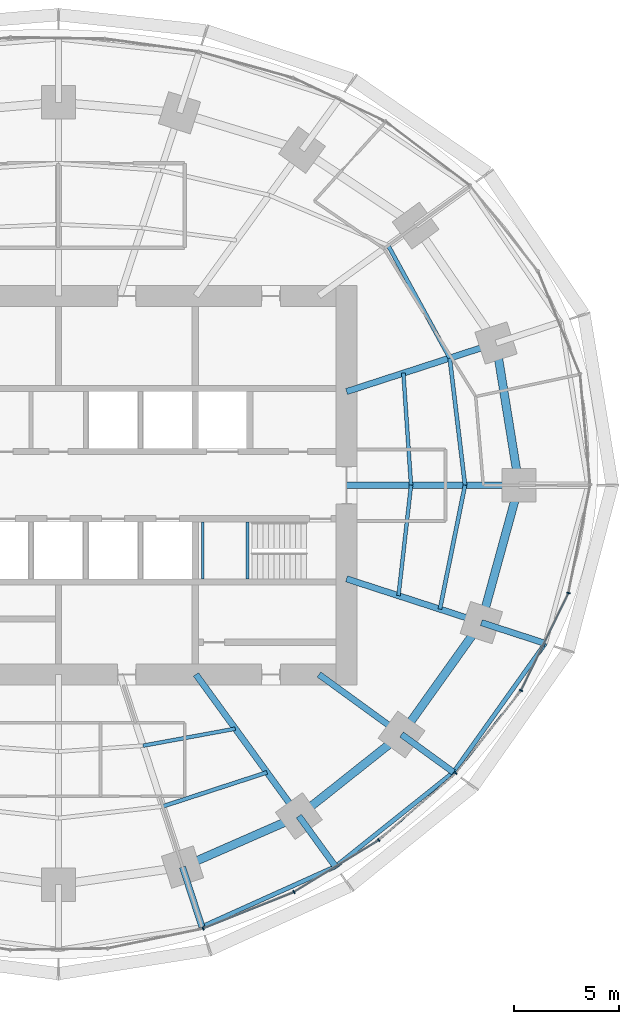
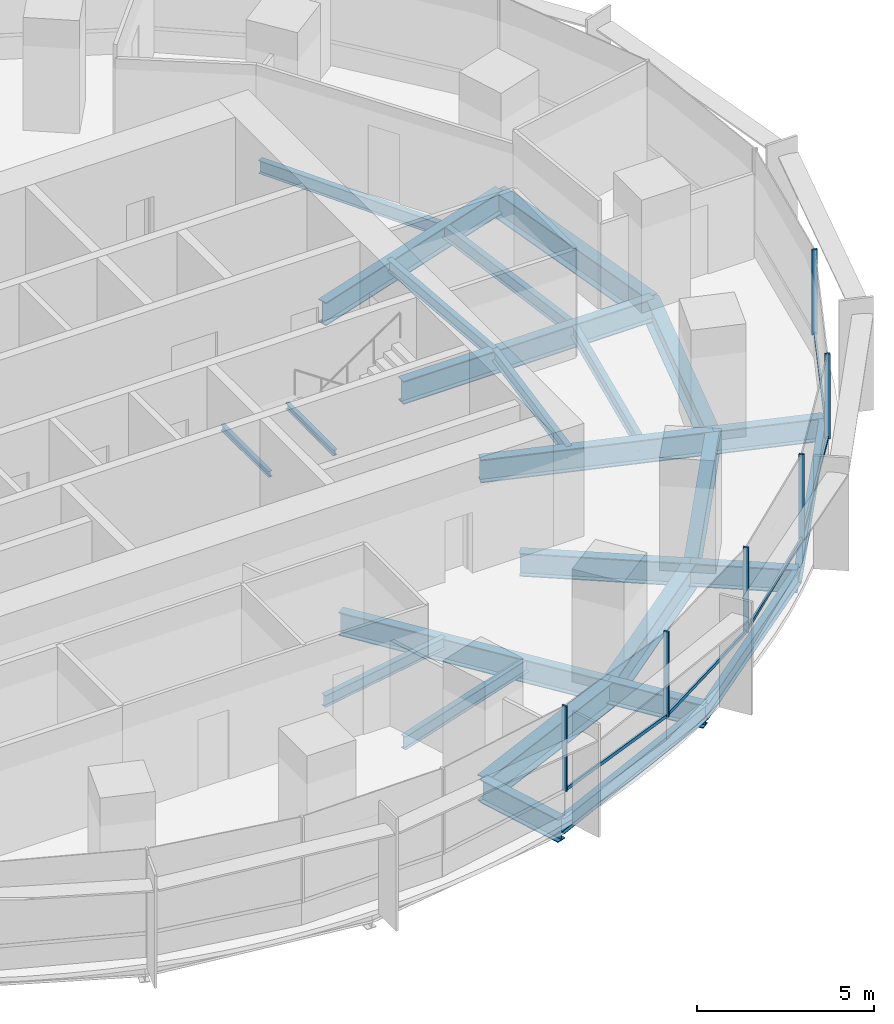
# One storey, part 5 of 14: 26 beams, 11 members, 2 elements without a shape of their own.
"""IFC4 building model written with IfcOpenShell, lengths in metres."""

from ifc_helpers import new_model, si_unit, direction, frame, origin, origin_2d, place, context, subcontext, project, spatial, rectangle, i_section, extrude, material, material_profile, profile_set, type_object, element, aggregate, save


model = new_model("IFC4")

# Units and contexts
model_context = context("Model", 3, precision=1e-05, world=origin(), true_north=direction((0.0, 1.0)))
body_context = subcontext(model_context, "Body", "Model", "MODEL_VIEW")
ifc_project = project(units=[si_unit("LENGTHUNIT", "METRE"), si_unit("AREAUNIT", "SQUARE_METRE"), si_unit("VOLUMEUNIT", "CUBIC_METRE"), si_unit("PLANEANGLEUNIT", "RADIAN"), si_unit("MASSUNIT", "GRAM", prefix="KILO")], contexts=[model_context])

# Site, building, storey
site_placement = place(None, origin())
site = spatial("IfcSite", under=ifc_project, at=site_placement, CompositionType="ELEMENT")
building_placement = place(site_placement, origin())
building = spatial("IfcBuilding", under=site, at=building_placement, Name="Marramba Exchange Tower", CompositionType="ELEMENT")
storey_placement = place(building_placement, frame((0.0, 0.0, 104.10009765625)))
storey = spatial("IfcBuildingStorey", under=building, at=storey_placement, Name="L24", CompositionType="ELEMENT", Elevation=104.10009765625)

# Beams
ifc_material_1 = material(Name="Steel AS/NZS 3679.2 grade 300", Category="steel")
ifc_material_profile_1 = material_profile(ifc_material_1, i_section(OverallWidth=0.300048828125, OverallDepth=0.800048828125, WebThickness=0.013916015625, FlangeThickness=0.031982421875, at=origin_2d()), Name="800WB192")
ifc_profile_set_1 = profile_set([ifc_material_profile_1], Name="Steel AS/NZS 3679.2 grade 300")
beam_type_1 = type_object("IfcBeamType", Name="Cantilever girder 800WB192", PredefinedType="BEAM", material=ifc_profile_set_1)
beam_1_placement = place(storey_placement, frame((5.899658203125, -18.156982421875, -0.56005859375), z_axis=(0.30903246226, -0.951051490336, 0.0), x_axis=(0.951051490336, 0.30903246226, 0.0)))
element("IfcBeam", 1, at=beam_1_placement, inside=storey, type_object=beam_type_1, Name="Cantilever girder L24 TC17", PredefinedType="BEAM", context=body_context, shape_type="SweptSolid", body=[
    extrude(i_section(OverallWidth=0.300048828125, OverallDepth=0.800048828125, WebThickness=0.013916015625, FlangeThickness=0.031982421875, at=origin_2d()), origin(), (0.0, 0.0, 1.0), 2.986328125),
])
beam_2_placement = place(storey_placement, frame((11.430419921875, -15.732666015625, -0.56005859375), z_axis=(0.587794986183, -0.8090099222, 0.0), x_axis=(0.8090099222, 0.587794986183, 0.0)))
element("IfcBeam", 2, at=beam_2_placement, inside=storey, type_object=beam_type_1, Name="Cantilever girder L24 TC18", PredefinedType="BEAM", context=body_context, shape_type="SweptSolid", body=[
    extrude(i_section(OverallWidth=0.300048828125, OverallDepth=0.800048828125, WebThickness=0.013916015625, FlangeThickness=0.031982421875, at=origin_2d()), origin(), (0.0, 0.0, 1.0), 2.9677734375),
])
beam_3_placement = place(storey_placement, frame((16.3154296875, -11.853759765625, -0.56005859375), z_axis=(0.809026231081, -0.587772538847, 0.0), x_axis=(0.587772538847, 0.809026231081, 0.0)))
element("IfcBeam", 3, at=beam_3_placement, inside=storey, type_object=beam_type_1, Name="Cantilever girder L24 TC19", PredefinedType="BEAM", context=body_context, shape_type="SweptSolid", body=[
    extrude(i_section(OverallWidth=0.300048828125, OverallDepth=0.800048828125, WebThickness=0.013916015625, FlangeThickness=0.031982421875, at=origin_2d()), origin(), (0.0, 0.0, 1.0), 3.055419921875),
])
beam_4_placement = place(storey_placement, frame((20.109375, -6.533935546875, -0.56005859375), z_axis=(0.951054839063, -0.309022156318, 0.0), x_axis=(0.309022156318, 0.951054839063, 0.0)))
element("IfcBeam", 4, at=beam_4_placement, inside=storey, type_object=beam_type_1, Name="Cantilever girder L24 TC20", PredefinedType="BEAM", context=body_context, shape_type="SweptSolid", body=[
    extrude(i_section(OverallWidth=0.300048828125, OverallDepth=0.800048828125, WebThickness=0.013916015625, FlangeThickness=0.031982421875, at=origin_2d()), origin(), (0.0, 0.0, 1.0), 3.19580078125),
])
ifc_material_2 = material(Name="Steel AS/NZS 3679.1 grade 300", Category="steel")
ifc_material_profile_2 = material_profile(ifc_material_2, i_section(OverallWidth=0.177978515625, OverallDepth=0.406005859375, WebThickness=0.0078125, FlangeThickness=0.0126953125, FilletRadius=0.011474609375, at=origin_2d()), Name="410UB59.7")
ifc_profile_set_2 = profile_set([ifc_material_profile_2], Name="Steel AS/NZS 3679.1 grade 300")
beam_type_2 = type_object("IfcBeamType", Name="Floor joist 410UB59.7", PredefinedType="JOIST", material=ifc_profile_set_2)
beam_5_placement = place(storey_placement, frame((16.7666015625, 0.0, -0.363037109375), z_axis=(-0.068096259546, 0.99767875563, 0.0), x_axis=(-0.99767875563, -0.068096259546, 0.0)))
element("IfcBeam", 5, at=beam_5_placement, inside=storey, type_object=beam_type_2, Name="Joist L24 bay 01 row 1", PredefinedType="JOIST", context=body_context, shape_type="SweptSolid", body=[
    extrude(i_section(OverallWidth=0.177978515625, OverallDepth=0.406005859375, WebThickness=0.0078125, FlangeThickness=0.0126953125, FilletRadius=0.011474609375, at=origin_2d()), origin(), (0.0, 0.0, 1.0), 5.342041015625),
])
beam_6_placement = place(storey_placement, frame((4.0244140625, -12.3857421875, -0.363037109375), z_axis=(0.983455754421, 0.181148500119, 0.0), x_axis=(-0.181148500119, 0.983455754421, 0.0)))
element("IfcBeam", 6, at=beam_6_placement, inside=storey, type_object=beam_type_2, Name="Joist L24 bay 17 row 1", PredefinedType="JOIST", context=body_context, shape_type="SweptSolid", body=[
    extrude(i_section(OverallWidth=0.177978515625, OverallDepth=0.406005859375, WebThickness=0.0078125, FlangeThickness=0.0126953125, FilletRadius=0.011474609375, at=origin_2d()), origin(), (0.0, 0.0, 1.0), 4.4609375),
])
beam_7_placement = place(storey_placement, frame((16.169677734375, -5.25390625, -0.363037109375), z_axis=(0.112888968594, 0.993607609054, 0.0), x_axis=(-0.993607609054, 0.112888968594, 0.0)))
element("IfcBeam", 7, at=beam_7_placement, inside=storey, type_object=beam_type_2, Name="Joist L24 bay 20 row 1", PredefinedType="JOIST", context=body_context, shape_type="SweptSolid", body=[
    extrude(i_section(OverallWidth=0.177978515625, OverallDepth=0.406005859375, WebThickness=0.0078125, FlangeThickness=0.0126953125, FilletRadius=0.011474609375, at=origin_2d()), origin(), (0.0, 0.0, 1.0), 5.28759765625),
])
ifc_material_profile_3 = material_profile(ifc_material_2, i_section(OverallWidth=0.18994140625, OverallDepth=0.4541015625, WebThickness=0.008544921875, FlangeThickness=0.0126953125, FilletRadius=0.011474609375, at=origin_2d()), Name="460UB67.1")
ifc_profile_set_3 = profile_set([ifc_material_profile_3], Name="Steel AS/NZS 3679.1 grade 300")
beam_type_3 = type_object("IfcBeamType", Name="Floor joist 460UB67.1", PredefinedType="JOIST", material=ifc_profile_set_3)
beam_8_placement = place(storey_placement, frame((19.333251953125, 0.0, -0.38720703125), z_axis=(-0.119523078538, 0.992831422597, 0.0), x_axis=(-0.992831422597, -0.119523078538, 0.0)))
element("IfcBeam", 8, at=beam_8_placement, inside=storey, type_object=beam_type_3, Name="Joist L24 bay 01 row 2", PredefinedType="JOIST", context=body_context, shape_type="SweptSolid", body=[
    extrude(i_section(OverallWidth=0.18994140625, OverallDepth=0.4541015625, WebThickness=0.008544921875, FlangeThickness=0.0126953125, FilletRadius=0.011474609375, at=origin_2d()), origin(), (0.0, 0.0, 1.0), 6.089111328125),
])
beam_9_placement = place(storey_placement, frame((18.60546875, 6.04541015625, -0.38720703125), z_axis=(-0.479584443791, 0.877495732909, 0.0), x_axis=(-0.877495732909, -0.479584443791, 0.0)))
element("IfcBeam", 9, at=beam_9_placement, inside=storey, type_object=beam_type_3, Name="Joist L24 bay 02 row 2", PredefinedType="JOIST", context=body_context, shape_type="SweptSolid", body=[
    extrude(i_section(OverallWidth=0.18994140625, OverallDepth=0.4541015625, WebThickness=0.008544921875, FlangeThickness=0.0126953125, FilletRadius=0.011474609375, at=origin_2d()), origin(), (0.0, 0.0, 1.0), 6.094970703125),
])
beam_10_placement = place(storey_placement, frame((4.9619140625, -15.271484375, -0.38720703125), z_axis=(0.950764024931, 0.309915744834, 0.0), x_axis=(-0.309915744834, 0.950764024931, 0.0)))
element("IfcBeam", 10, at=beam_10_placement, inside=storey, type_object=beam_type_3, Name="Joist L24 bay 17 row 2", PredefinedType="JOIST", context=body_context, shape_type="SweptSolid", body=[
    extrude(i_section(OverallWidth=0.18994140625, OverallDepth=0.4541015625, WebThickness=0.008544921875, FlangeThickness=0.0126953125, FilletRadius=0.011474609375, at=origin_2d()), origin(), (0.0, 0.0, 1.0), 5.2158203125),
])
beam_11_placement = place(storey_placement, frame((18.1396484375, -5.893798828125, -0.38720703125), z_axis=(0.198489047047, 0.980103105904, 0.0), x_axis=(-0.980103105904, 0.198489047047, 0.0)))
element("IfcBeam", 11, at=beam_11_placement, inside=storey, type_object=beam_type_3, Name="Joist L24 bay 20 row 2", PredefinedType="JOIST", context=body_context, shape_type="SweptSolid", body=[
    extrude(i_section(OverallWidth=0.18994140625, OverallDepth=0.4541015625, WebThickness=0.008544921875, FlangeThickness=0.0126953125, FilletRadius=0.011474609375, at=origin_2d()), origin(), (0.0, 0.0, 1.0), 6.013427734375),
])

# Curtain wall, member
ifc_material_3 = material(Name="Aluminium framing, bronze anodised", Category="aluminium")
curtain_wall_type = type_object("IfcCurtainWallType", Name="Office ribbon curtain wall", PredefinedType="USERDEFINED", material=ifc_material_3)
curtain_wall_1_placement = place(storey_placement, origin())
curtain_wall_1 = element("IfcCurtainWall", 12, at=curtain_wall_1_placement, inside=storey, type_object=curtain_wall_type, Name="Curtain wall CW4 L24 F21-F25", ObjectType="RIBBON CURTAIN WALL", PredefinedType="USERDEFINED")
ifc_material_4 = material(Name="Aluminium mullion, bronze anodised", Category="aluminium")
ifc_material_profile_4 = material_profile(ifc_material_4, rectangle(XDim=0.159912109375, YDim=0.06005859375, at=origin_2d()), Name="CW4 mullion 60x160")
ifc_profile_set_4 = profile_set([ifc_material_profile_4], Name="Aluminium mullion, bronze anodised")
member_type_1 = type_object("IfcMemberType", Name="Office ribbon curtain wall mullion", PredefinedType="MULLION", material=ifc_profile_set_4)
member_1_placement = place(storey_placement, frame((6.881103515625, -21.0810546875, 0.7998046875), z_axis=(0.0, 0.0, 1.0), x_axis=(-0.372209067082, 0.928148916059, 0.0)))
member_1 = element("IfcMember", 13, at=member_1_placement, type_object=member_type_1, Name="CW4 mullion 1", PredefinedType="MULLION", context=body_context, shape_type="SweptSolid", body=[
    extrude(rectangle(XDim=0.159912109375, YDim=0.06005859375, at=origin_2d()), origin(), (0.0, 0.0, 1.0), 2.940185546875),
])

# Curtain wall, members
curtain_wall_2_placement = place(storey_placement, origin())
curtain_wall_2 = element("IfcCurtainWall", 14, at=curtain_wall_2_placement, inside=storey, type_object=curtain_wall_type, Name="Curtain wall CW4 L24 F26-F30", ObjectType="RIBBON CURTAIN WALL", PredefinedType="USERDEFINED")
member_2_placement = place(storey_placement, frame((11.2021484375, -19.3427734375, 0.7998046875), z_axis=(0.0, 0.0, 1.0), x_axis=(-0.521732535664, 0.853109114492, 0.0)))
member_2 = element("IfcMember", 15, at=member_2_placement, type_object=member_type_1, Name="CW4 mullion 1", PredefinedType="MULLION", context=body_context, shape_type="SweptSolid", body=[
    extrude(rectangle(XDim=0.159912109375, YDim=0.06005859375, at=origin_2d()), origin(), (0.0, 0.0, 1.0), 2.940185546875),
])
member_3_placement = place(storey_placement, frame((15.232177734375, -16.872314453125, 0.7998046875), z_axis=(0.0, 0.0, 1.0), x_axis=(-0.656431647438, 0.754385506384, 0.0)))
member_3 = element("IfcMember", 16, at=member_3_placement, type_object=member_type_1, Name="CW4 mullion 1", PredefinedType="MULLION", context=body_context, shape_type="SweptSolid", body=[
    extrude(rectangle(XDim=0.159912109375, YDim=0.06005859375, at=origin_2d()), origin(), (0.0, 0.0, 1.0), 2.940185546875),
])
member_4_placement = place(storey_placement, frame((18.886962890625, -13.68505859375, 0.7998046875), z_axis=(0.0, 0.0, 1.0), x_axis=(-0.783170139469, 0.621807472329, 0.0)))
member_4 = element("IfcMember", 17, at=member_4_placement, type_object=member_type_1, Name="CW4 mullion 1", PredefinedType="MULLION", context=body_context, shape_type="SweptSolid", body=[
    extrude(rectangle(XDim=0.159912109375, YDim=0.06005859375, at=origin_2d()), origin(), (0.0, 0.0, 1.0), 2.940185546875),
])
member_5_placement = place(storey_placement, frame((21.994873046875, -9.760009765625, 0.7998046875), z_axis=(0.0, 0.0, 1.0), x_axis=(-0.89844486976, 0.439086342308, 0.0)))
member_5 = element("IfcMember", 18, at=member_5_placement, type_object=member_type_1, Name="CW4 mullion 1", PredefinedType="MULLION", context=body_context, shape_type="SweptSolid", body=[
    extrude(rectangle(XDim=0.159912109375, YDim=0.06005859375, at=origin_2d()), origin(), (0.0, 0.0, 1.0), 2.940185546875),
])
member_6_placement = place(storey_placement, frame((24.252197265625, -5.124267578125, 0.7998046875), z_axis=(0.0, 0.0, 1.0), x_axis=(-0.980393739376, 0.197048511267, 0.0)))
member_6 = element("IfcMember", 19, at=member_6_placement, type_object=member_type_1, Name="CW4 mullion 1", PredefinedType="MULLION", context=body_context, shape_type="SweptSolid", body=[
    extrude(rectangle(XDim=0.159912109375, YDim=0.06005859375, at=origin_2d()), origin(), (0.0, 0.0, 1.0), 2.940185546875),
])

# Member
ifc_material_5 = material(Name="Aluminium transom, bronze anodised", Category="aluminium")
ifc_material_profile_5 = material_profile(ifc_material_5, rectangle(XDim=0.06005859375, YDim=0.1201171875, at=origin_2d()), Name="CW4 transom 60x120")
ifc_profile_set_5 = profile_set([ifc_material_profile_5], Name="Aluminium transom, bronze anodised")
member_type_2 = type_object("IfcMemberType", Name="Office ribbon curtain wall transom", PredefinedType="USERDEFINED", material=ifc_profile_set_5)
member_7_placement = place(storey_placement, frame((6.908935546875, -21.06982421875, 0.829833984375), z_axis=(0.928146753748, 0.372214459026, 0.0), x_axis=(-0.372214459026, 0.928146753748, 0.0)))
member_7 = element("IfcMember", 20, at=member_7_placement, type_object=member_type_2, Name="CW4 sill transom", ObjectType="TRANSOM", PredefinedType="USERDEFINED", context=body_context, shape_type="SweptSolid", body=[
    extrude(rectangle(XDim=0.06005859375, YDim=0.1201171875, at=origin_2d()), origin(), (0.0, 0.0, 1.0), 4.597900390625),
])

aggregate(curtain_wall_1, [member_1, member_7])

member_8_placement = place(storey_placement, frame((11.227783203125, -19.3271484375, 0.829833984375), z_axis=(0.853124051379, 0.52170811088, 0.0), x_axis=(-0.52170811088, 0.853124051379, 0.0)))
member_8 = element("IfcMember", 21, at=member_8_placement, type_object=member_type_2, Name="CW4 sill transom", ObjectType="TRANSOM", PredefinedType="USERDEFINED", context=body_context, shape_type="SweptSolid", body=[
    extrude(rectangle(XDim=0.06005859375, YDim=0.1201171875, at=origin_2d()), origin(), (0.0, 0.0, 1.0), 4.66748046875),
])

member_9_placement = place(storey_placement, frame((15.2548828125, -16.8525390625, 0.829833984375), z_axis=(0.754392594189, 0.65642350189, 0.0), x_axis=(-0.65642350189, 0.754392594189, 0.0)))
member_9 = element("IfcMember", 22, at=member_9_placement, type_object=member_type_2, Name="CW4 sill transom", ObjectType="TRANSOM", PredefinedType="USERDEFINED", context=body_context, shape_type="SweptSolid", body=[
    extrude(rectangle(XDim=0.06005859375, YDim=0.1201171875, at=origin_2d()), origin(), (0.0, 0.0, 1.0), 4.78955078125),
])

member_10_placement = place(storey_placement, frame((18.905517578125, -13.66162109375, 0.829833984375), z_axis=(0.621777997945, 0.783193540111, 0.0), x_axis=(-0.783193540111, 0.621777997945, 0.0)))
member_10 = element("IfcMember", 23, at=member_10_placement, type_object=member_type_2, Name="CW4 sill transom", ObjectType="TRANSOM", PredefinedType="USERDEFINED", context=body_context, shape_type="SweptSolid", body=[
    extrude(rectangle(XDim=0.06005859375, YDim=0.1201171875, at=origin_2d()), origin(), (0.0, 0.0, 1.0), 4.947265625),
])

member_11_placement = place(storey_placement, frame((22.008056640625, -9.73291015625, 0.829833984375), z_axis=(0.439090714557, 0.898442732949, 0.0), x_axis=(-0.898442732949, 0.439090714557, 0.0)))
member_11 = element("IfcMember", 24, at=member_11_placement, type_object=member_type_2, Name="CW4 sill transom", ObjectType="TRANSOM", PredefinedType="USERDEFINED", context=body_context, shape_type="SweptSolid", body=[
    extrude(rectangle(XDim=0.06005859375, YDim=0.1201171875, at=origin_2d()), origin(), (0.0, 0.0, 1.0), 5.096923828125),
])

aggregate(curtain_wall_2, [member_2, member_8, member_3, member_9, member_4, member_10, member_5, member_11, member_6])

# Beams
ifc_material_profile_6 = material_profile(ifc_material_1, i_section(OverallWidth=0.300048828125, OverallDepth=0.800048828125, WebThickness=0.013916015625, FlangeThickness=0.031982421875, at=origin_2d()), Name="800WB192")
ifc_profile_set_6 = profile_set([ifc_material_profile_6], Name="Steel AS/NZS 3679.2 grade 300")
beam_type_4 = type_object("IfcBeamType", Name="Radial girder 800WB192", PredefinedType="BEAM", material=ifc_profile_set_6)
beam_12_placement = place(storey_placement, frame((13.699951171875, 0.0, -0.56005859375), z_axis=(1.0, 0.0, 0.0), x_axis=(0.0, 1.0, 0.0)))
element("IfcBeam", 25, at=beam_12_placement, inside=storey, type_object=beam_type_4, Name="Radial girder L24 TC01", PredefinedType="BEAM", context=body_context, shape_type="SweptSolid", body=[
    extrude(i_section(OverallWidth=0.300048828125, OverallDepth=0.800048828125, WebThickness=0.013916015625, FlangeThickness=0.031982421875, at=origin_2d()), origin(), (0.0, 0.0, 1.0), 8.199951171875),
])
beam_13_placement = place(storey_placement, frame((13.699951171875, 4.451416015625, -0.56005859375), z_axis=(0.951059990189, 0.309006302624, 0.0), x_axis=(-0.309006302624, 0.951059990189, 0.0)))
element("IfcBeam", 26, at=beam_13_placement, inside=storey, type_object=beam_type_4, Name="Radial girder L24 TC02", PredefinedType="BEAM", context=body_context, shape_type="SweptSolid", body=[
    extrude(i_section(OverallWidth=0.300048828125, OverallDepth=0.800048828125, WebThickness=0.013916015625, FlangeThickness=0.031982421875, at=origin_2d()), origin(), (0.0, 0.0, 1.0), 7.47412109375),
])
beam_14_placement = place(storey_placement, frame((6.538818359375, -9.0, -0.56005859375), z_axis=(0.587787877172, -0.809015087282, 0.0), x_axis=(0.809015087282, 0.587787877172, 0.0)))
element("IfcBeam", 27, at=beam_14_placement, inside=storey, type_object=beam_type_4, Name="Radial girder L24 TC18", PredefinedType="BEAM", context=body_context, shape_type="SweptSolid", body=[
    extrude(i_section(OverallWidth=0.300048828125, OverallDepth=0.800048828125, WebThickness=0.013916015625, FlangeThickness=0.031982421875, at=origin_2d()), origin(), (0.0, 0.0, 1.0), 8.322021484375),
])
beam_15_placement = place(storey_placement, frame((12.387451171875, -9.0, -0.56005859375), z_axis=(0.809025189606, -0.58777397236, 0.0), x_axis=(0.58777397236, 0.809025189606, 0.0)))
element("IfcBeam", 28, at=beam_15_placement, inside=storey, type_object=beam_type_4, Name="Radial girder L24 TC19", PredefinedType="BEAM", context=body_context, shape_type="SweptSolid", body=[
    extrude(i_section(OverallWidth=0.300048828125, OverallDepth=0.800048828125, WebThickness=0.013916015625, FlangeThickness=0.031982421875, at=origin_2d()), origin(), (0.0, 0.0, 1.0), 4.855224609375),
])
beam_16_placement = place(storey_placement, frame((13.699951171875, -4.451416015625, -0.56005859375), z_axis=(0.951057759669, -0.309013167637, 0.0), x_axis=(0.309013167637, 0.951057759669, 0.0)))
element("IfcBeam", 29, at=beam_16_placement, inside=storey, type_object=beam_type_4, Name="Radial girder L24 TC20", PredefinedType="BEAM", context=body_context, shape_type="SweptSolid", body=[
    extrude(i_section(OverallWidth=0.300048828125, OverallDepth=0.800048828125, WebThickness=0.013916015625, FlangeThickness=0.031982421875, at=origin_2d()), origin(), (0.0, 0.0, 1.0), 6.7392578125),
])
ifc_material_profile_7 = material_profile(ifc_material_1, i_section(OverallWidth=0.39990234375, OverallDepth=0.89990234375, WebThickness=0.01611328125, FlangeThickness=0.031982421875, at=origin_2d()), Name="900WB282")
ifc_profile_set_7 = profile_set([ifc_material_profile_7], Name="Steel AS/NZS 3679.2 grade 300")
beam_type_5 = type_object("IfcBeamType", Name="Ring beam 900WB282", PredefinedType="SPANDREL", material=ifc_profile_set_7)
beam_17_placement = place(storey_placement, frame((21.89990234375, 0.0, -0.610107421875), z_axis=(-0.159384865399, 0.987216523708, 0.0), x_axis=(-0.987216523708, -0.159384865399, 0.0)))
element("IfcBeam", 30, at=beam_17_placement, inside=storey, type_object=beam_type_5, Name="Ring beam L24 TC01-TC02", PredefinedType="SPANDREL", context=body_context, shape_type="SweptSolid", body=[
    extrude(i_section(OverallWidth=0.39990234375, OverallDepth=0.89990234375, WebThickness=0.01611328125, FlangeThickness=0.031982421875, at=origin_2d()), origin(), (0.0, 0.0, 1.0), 6.8486328125),
])
beam_18_placement = place(storey_placement, frame((5.899658203125, -18.156982421875, -0.610107421875), z_axis=(0.915876892158, 0.4014592363, 0.0), x_axis=(-0.4014592363, 0.915876892158, 0.0)))
element("IfcBeam", 31, at=beam_18_placement, inside=storey, type_object=beam_type_5, Name="Ring beam L24 TC17-TC18", PredefinedType="SPANDREL", context=body_context, shape_type="SweptSolid", body=[
    extrude(i_section(OverallWidth=0.39990234375, OverallDepth=0.89990234375, WebThickness=0.01611328125, FlangeThickness=0.031982421875, at=origin_2d()), origin(), (0.0, 0.0, 1.0), 6.038818359375),
])
beam_19_placement = place(storey_placement, frame((11.430419921875, -15.732666015625, -0.610107421875), z_axis=(0.783139438128, 0.621846138887, 0.0), x_axis=(-0.621846138887, 0.783139438128, 0.0)))
element("IfcBeam", 32, at=beam_19_placement, inside=storey, type_object=beam_type_5, Name="Ring beam L24 TC18-TC19", PredefinedType="SPANDREL", context=body_context, shape_type="SweptSolid", body=[
    extrude(i_section(OverallWidth=0.39990234375, OverallDepth=0.89990234375, WebThickness=0.01611328125, FlangeThickness=0.031982421875, at=origin_2d()), origin(), (0.0, 0.0, 1.0), 6.23779296875),
])
beam_20_placement = place(storey_placement, frame((16.3154296875, -11.853759765625, -0.610107421875), z_axis=(0.580637181111, 0.814162430914, 0.0), x_axis=(-0.814162430914, 0.580637181111, 0.0)))
element("IfcBeam", 33, at=beam_20_placement, inside=storey, type_object=beam_type_5, Name="Ring beam L24 TC19-TC20", PredefinedType="SPANDREL", context=body_context, shape_type="SweptSolid", body=[
    extrude(i_section(OverallWidth=0.39990234375, OverallDepth=0.89990234375, WebThickness=0.01611328125, FlangeThickness=0.031982421875, at=origin_2d()), origin(), (0.0, 0.0, 1.0), 6.5341796875),
])
beam_21_placement = place(storey_placement, frame((20.109375, -6.533935546875, -0.610107421875), z_axis=(0.264291166956, 0.964442937176, 0.0), x_axis=(-0.964442937176, 0.264291166956, 0.0)))
element("IfcBeam", 34, at=beam_21_placement, inside=storey, type_object=beam_type_5, Name="Ring beam L24 TC20-TC01", PredefinedType="SPANDREL", context=body_context, shape_type="SweptSolid", body=[
    extrude(i_section(OverallWidth=0.39990234375, OverallDepth=0.89990234375, WebThickness=0.01611328125, FlangeThickness=0.031982421875, at=origin_2d()), origin(), (0.0, 0.0, 1.0), 6.77490234375),
])
ifc_material_profile_8 = material_profile(ifc_material_2, i_section(OverallWidth=0.208984375, OverallDepth=0.528076171875, WebThickness=0.009521484375, FlangeThickness=0.01318359375, FilletRadius=0.013916015625, at=origin_2d()), Name="530UB82.0")
ifc_profile_set_8 = profile_set([ifc_material_profile_8], Name="Steel AS/NZS 3679.1 grade 300")
beam_type_6 = type_object("IfcBeamType", Name="Slab edge beam 530UB82.0", PredefinedType="SPANDREL", material=ifc_profile_set_8)
beam_22_placement = place(storey_placement, frame((6.822509765625, -20.9970703125, -0.424072265625), z_axis=(0.911653171624, 0.410960453898, 0.0), x_axis=(-0.410960453898, 0.911653171624, 0.0)))
element("IfcBeam", 35, at=beam_22_placement, inside=storey, type_object=beam_type_6, Name="Slab edge beam L24 TC17-TC18", PredefinedType="SPANDREL", context=body_context, shape_type="SweptSolid", body=[
    extrude(i_section(OverallWidth=0.208984375, OverallDepth=0.528076171875, WebThickness=0.009521484375, FlangeThickness=0.01318359375, FilletRadius=0.013916015625, at=origin_2d()), origin(), (0.0, 0.0, 1.0), 6.9677734375),
])
beam_23_placement = place(storey_placement, frame((13.1748046875, -18.133544921875, -0.424072265625), z_axis=(0.781286404457, 0.624172695822, 0.0), x_axis=(-0.624172695822, 0.781286404457, 0.0)))
element("IfcBeam", 36, at=beam_23_placement, inside=storey, type_object=beam_type_6, Name="Slab edge beam L24 TC18-TC19", PredefinedType="SPANDREL", context=body_context, shape_type="SweptSolid", body=[
    extrude(i_section(OverallWidth=0.208984375, OverallDepth=0.528076171875, WebThickness=0.009521484375, FlangeThickness=0.01318359375, FilletRadius=0.013916015625, at=origin_2d()), origin(), (0.0, 0.0, 1.0), 7.183837890625),
])
beam_24_placement = place(storey_placement, frame((18.787353515625, -13.649658203125, -0.424072265625), z_axis=(0.579834168245, 0.814734519543, 0.0), x_axis=(-0.814734519543, 0.579834168245, 0.0)))
element("IfcBeam", 37, at=beam_24_placement, inside=storey, type_object=beam_type_6, Name="Slab edge beam L24 TC19-TC20", PredefinedType="SPANDREL", context=body_context, shape_type="SweptSolid", body=[
    extrude(i_section(OverallWidth=0.208984375, OverallDepth=0.528076171875, WebThickness=0.009521484375, FlangeThickness=0.01318359375, FilletRadius=0.013916015625, at=origin_2d()), origin(), (0.0, 0.0, 1.0), 7.521728515625),
])
ifc_material_profile_9 = material_profile(ifc_material_2, i_section(OverallWidth=0.133056640625, OverallDepth=0.202880859375, WebThickness=0.005859375, FlangeThickness=0.0078125, FilletRadius=0.0087890625, at=origin_2d()), Name="200UB25.4")
ifc_profile_set_9 = profile_set([ifc_material_profile_9], Name="Steel AS/NZS 3679.1 grade 300")
beam_type_7 = type_object("IfcBeamType", Name="Stair landing beam 200UB25.4", PredefinedType="BEAM", material=ifc_profile_set_9)
for number, where, z_axis, x_axis, name in (
    (38, (6.866455078125, -4.449951171875, 1.6484375), (0.0, 1.0, 0.0), (-1.0, 0.0, 0.0), "Stair landing beam SLB1 ST2 L24 1"),
    (39, (8.9833984375, -4.449951171875, 1.6484375), (0.0, 1.0, 0.0), (-1.0, 0.0, 0.0), "Stair landing beam SLB1 ST2 L24 2"),
):
    element("IfcBeam", number, at=place(storey_placement, frame(where, z_axis=z_axis, x_axis=x_axis)), inside=storey, type_object=beam_type_7, Name=name, PredefinedType="BEAM", context=body_context, shape_type="SweptSolid", body=[
        extrude(i_section(OverallWidth=0.133056640625, OverallDepth=0.202880859375, WebThickness=0.005859375, FlangeThickness=0.0078125, FilletRadius=0.0087890625, at=origin_2d()), origin(), (0.0, 0.0, 1.0), 2.699951171875),
    ])

save(model, "model.ifc")
